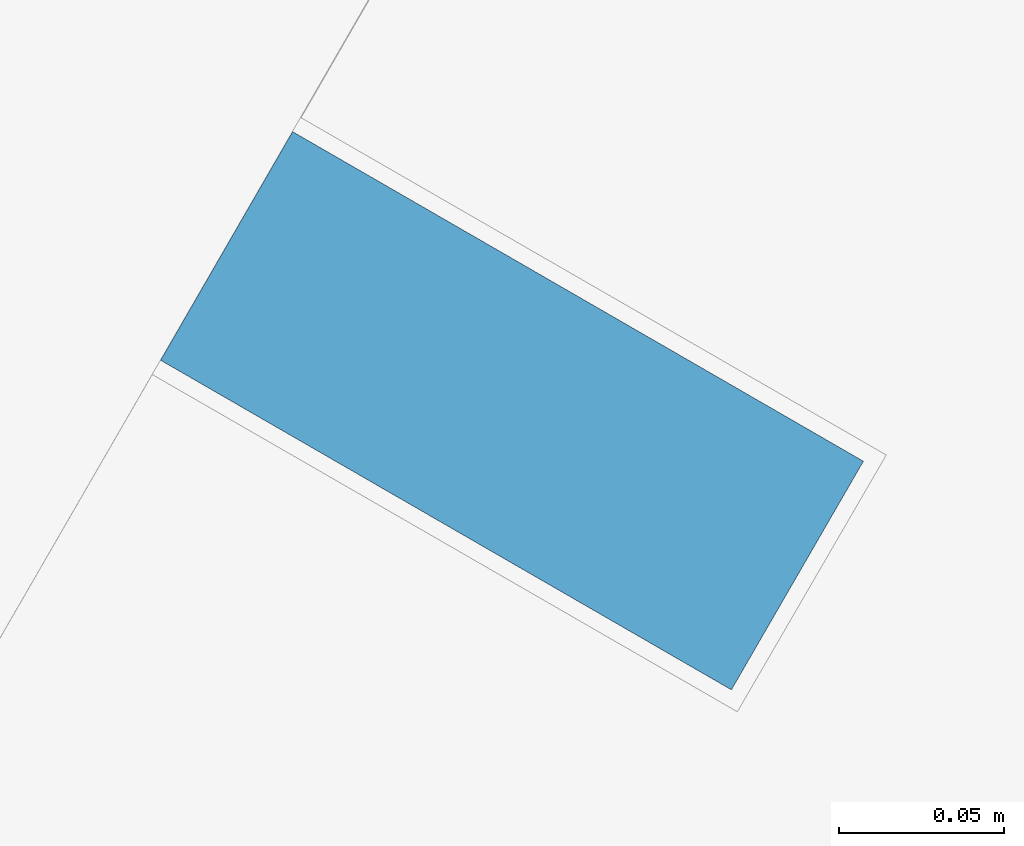
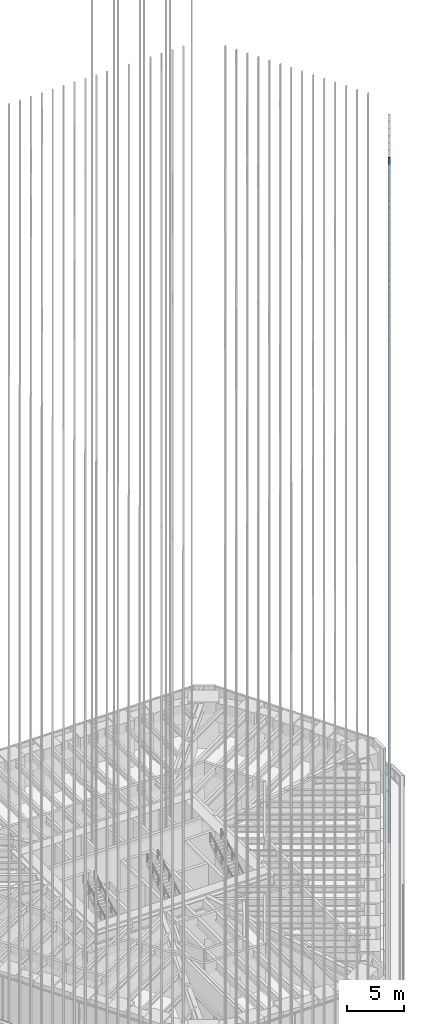
# One storey, part 117 of 228: 1 member, 1 element without a shape of its own.
"""IFC4 building model written with IfcOpenShell, lengths in metres."""

from ifc_helpers import new_model, si_unit, direction, frame, origin, origin_2d, place, context, subcontext, project, spatial, rectangle, extrude, material, material_profile, profile_set, type_object, element, aggregate, save


model = new_model("IFC4")

# Units and contexts
model_context = context("Model", 3, precision=1e-05, world=origin(), true_north=direction((0.0, 1.0)))
body_context = subcontext(model_context, "Body", "Model", "MODEL_VIEW")
ifc_project = project(units=[si_unit("LENGTHUNIT", "METRE"), si_unit("AREAUNIT", "SQUARE_METRE"), si_unit("VOLUMEUNIT", "CUBIC_METRE"), si_unit("PLANEANGLEUNIT", "RADIAN"), si_unit("MASSUNIT", "GRAM", prefix="KILO")], contexts=[model_context])

# Site, building, storey
site_placement = place(None, origin())
site = spatial("IfcSite", under=ifc_project, at=site_placement, CompositionType="ELEMENT")
building_placement = place(site_placement, origin())
building = spatial("IfcBuilding", under=site, at=building_placement, Name="Sandreach Pilgrim Tower", CompositionType="ELEMENT")
storey_placement = place(building_placement, frame((0.0, 0.0, 178.199951171875)))
storey = spatial("IfcBuildingStorey", under=building, at=storey_placement, Name="L44", CompositionType="ELEMENT", Elevation=178.199951171875)

# Curtain wall, member
ifc_material_1 = material(Name="Aluminium framed curtain wall", Category="aluminium")
curtain_wall_type = type_object("IfcCurtainWallType", Name="Upper hotel tower curtain wall", PredefinedType="NOTDEFINED", material=ifc_material_1)
curtain_wall_placement = place(storey_placement, origin())
curtain_wall = element("IfcCurtainWall", 1, at=curtain_wall_placement, inside=storey, type_object=curtain_wall_type, Name="CW-3 L44 SE", PredefinedType="NOTDEFINED")
ifc_material_2 = material(Name="Extruded terracotta on aluminium core", Category="masonry")
ifc_material_profile = material_profile(ifc_material_2, rectangle(XDim=0.080078125, YDim=0.199951171875, at=origin_2d()), Name="TBE 80X200")
ifc_profile_set = profile_set([ifc_material_profile], Name="Extruded terracotta on aluminium core")
member_type = type_object("IfcMemberType", Name="Terracotta baguette east", PredefinedType="USERDEFINED", material=ifc_profile_set)
member_placement = place(storey_placement, frame((23.62744140625, -2.1962890625, 0.0), z_axis=(0.0, 0.0, 1.0), x_axis=(-0.5, -0.866025403784, 0.0)))
member = element("IfcMember", 2, at=member_placement, type_object=member_type, Name="Baguette Z3 SE07", ObjectType="BAGUETTE", PredefinedType="USERDEFINED", context=body_context, shape_type="SweptSolid", body=[
    extrude(rectangle(XDim=0.080078125, YDim=0.199951171875, at=origin_2d()), origin(), (0.0, 0.0, 1.0), 73.239990234375),
])
aggregate(curtain_wall, [member])

save(model, "model.ifc")
